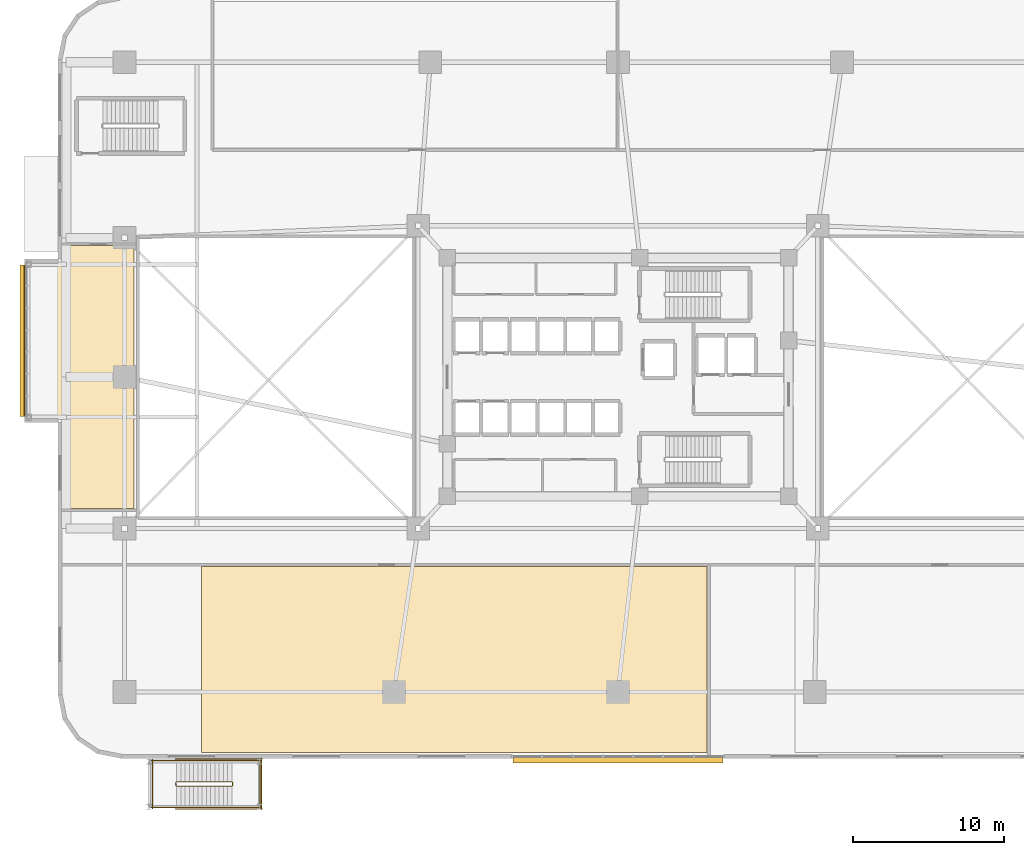
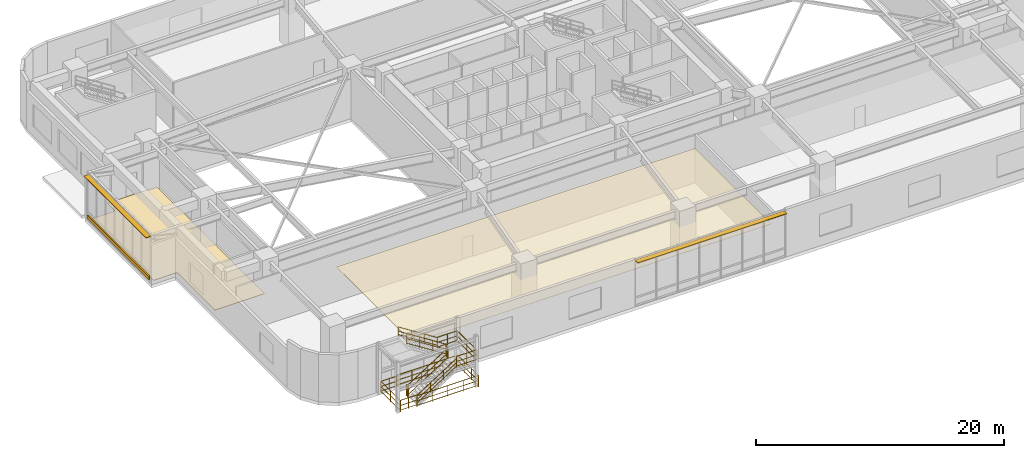
# One storey, part 23 of 26: 15 railings, 3 shading devices, 2 coverings.
"""IFC4 building model written with IfcOpenShell, lengths in metres."""

from ifc_helpers import new_model, si_unit, direction, frame, origin, origin_2d, place, context, subcontext, project, spatial, polyline, rectangle, outline, extrude, material, layer, layer_set, type_object, element, save


model = new_model("IFC4")

# Units and contexts
model_context = context("Model", 3, precision=1e-05, world=origin(), true_north=direction((0.0, 1.0)))
body_context = subcontext(model_context, "Body", "Model", "MODEL_VIEW")
ifc_project = project(units=[si_unit("LENGTHUNIT", "METRE"), si_unit("AREAUNIT", "SQUARE_METRE"), si_unit("VOLUMEUNIT", "CUBIC_METRE"), si_unit("PLANEANGLEUNIT", "RADIAN"), si_unit("MASSUNIT", "GRAM", prefix="KILO")], contexts=[model_context])

# Site, building, storey
site_placement = place(None, origin())
site = spatial("IfcSite", under=ifc_project, at=site_placement, CompositionType="ELEMENT")
building_placement = place(site_placement, origin())
building = spatial("IfcBuilding", under=site, at=building_placement, Name="Zulverin Broadcast Headquarters", CompositionType="ELEMENT")
storey_placement = place(building_placement, frame((0.0, 0.0, 15.0)))
storey = spatial("IfcBuildingStorey", under=building, at=storey_placement, Name="L03", CompositionType="ELEMENT", Elevation=15.0)

# Coverings
ifc_material_1 = material(Name="Perforated pale-metal acoustic baffle ceiling", Category="aluminium")
ifc_layer_1 = layer(ifc_material_1, 0.0400390625, Name="Perforated pale-metal acoustic baffle ceiling", Category="aluminium")
ifc_layer_set_1 = layer_set([ifc_layer_1], Name="Perforated pale-metal acoustic baffle ceiling")
covering_type_1 = type_object("IfcCoveringType", Name="COV-CEIL-ACOU", PredefinedType="CEILING", material=ifc_layer_set_1)
covering_1_placement = place(storey_placement, frame((0.0, 0.0, 3.389892578125)))
element("IfcCovering", 1, at=covering_1_placement, inside=storey, type_object=covering_type_1, Name="L03 Acoustic Baffle Ceiling 01", PredefinedType="CEILING", context=body_context, shape_type="SweptSolid", body=[
    extrude(outline(polyline([(42.8798828125, 0.39990234375), (42.8798828125, 12.679931640625), (9.5, 12.679931640625), (9.5, 0.39990234375), (42.8798828125, 0.39990234375)])), origin(), (0.0, 0.0, 1.0), 0.0400390625),
])
ifc_material_2 = material(Name="Anti-static broadcast raised access flooring", Category="stone")
ifc_layer_2 = layer(ifc_material_2, 0.050048828125, Name="Anti-static broadcast raised access flooring", Category="stone")
ifc_layer_set_2 = layer_set([ifc_layer_2], Name="Anti-static broadcast raised access flooring")
covering_type_2 = type_object("IfcCoveringType", Name="COV-FLR-RAISED", PredefinedType="FLOORING", material=ifc_layer_set_2)
covering_2_placement = place(storey_placement, origin())
element("IfcCovering", 2, at=covering_2_placement, inside=storey, type_object=covering_type_2, Name="L03 Broadcast Raised Access Flooring 02", PredefinedType="FLOORING", context=body_context, shape_type="SweptSolid", body=[
    extrude(outline(polyline([(0.2919921875, 32.60009765625), (0.280029296875, 32.60009765625), (-1.800048828125, 32.60009765625), (-1.800048828125, 22.60009765625), (0.280029296875, 22.60009765625), (0.2919921875, 22.60009765625), (0.303955078125, 22.595947265625), (0.31591796875, 22.595947265625), (0.323974609375, 22.592041015625), (0.3359375, 22.583984375), (0.347900390625, 22.580078125), (0.35595703125, 22.572021484375), (0.364013671875, 22.56396484375), (0.3720703125, 22.555908203125), (0.3798828125, 22.548095703125), (0.384033203125, 22.535888671875), (0.39208984375, 22.52392578125), (0.39599609375, 22.51611328125), (0.39599609375, 22.50390625), (0.39990234375, 22.491943359375), (0.39990234375, 22.47998046875), (0.39990234375, 16.52001953125), (5.031982421875, 16.52001953125), (5.031982421875, 33.8798828125), (0.39990234375, 33.8798828125), (0.39990234375, 32.719970703125), (0.39990234375, 32.7080078125), (0.39599609375, 32.696044921875), (0.39599609375, 32.68408203125), (0.39208984375, 32.676025390625), (0.384033203125, 32.6640625), (0.3798828125, 32.652099609375), (0.3720703125, 32.64404296875), (0.364013671875, 32.635986328125), (0.35595703125, 32.6279296875), (0.347900390625, 32.6201171875), (0.3359375, 32.615966796875), (0.323974609375, 32.60791015625), (0.31591796875, 32.60400390625), (0.303955078125, 32.60400390625), (0.2919921875, 32.60009765625)])), origin(), (0.0, 0.0, 1.0), 0.050048828125),
])

# Railings
ifc_material_3 = material(Name="Painted galvanized steel tubular guardrail S355JR", Category="steel")
railing_type_1 = type_object("IfcRailingType", Name="RL-ST-GUARD", PredefinedType="GUARDRAIL", material=ifc_material_3)
railing_1_placement = place(storey_placement, frame((7.85009765625, -1.830078125, 0.178466796875)))
element("IfcRailing", 3, at=railing_1_placement, inside=storey, type_object=railing_type_1, Name="L03 ST-5 stair guard 1", PredefinedType="GUARDRAIL", context=body_context, shape_type="SweptSolid", body=[
    extrude(rectangle(XDim=0.048095703125, YDim=0.048095703125, at=origin_2d()), frame((0.0, 0.0, 1.076171875), z_axis=(0.843111507901, 0.0, 0.53773877045), x_axis=(0.0, 1.0, 0.0)), (0.0, 0.0, 1.0), 4.317138671875),
    extrude(rectangle(XDim=0.0419921875, YDim=0.0419921875, at=origin_2d()), frame((0.0, 0.0, 0.572021484375), z_axis=(0.843111507901, 0.0, 0.53773877045), x_axis=(0.0, 1.0, 0.0)), (0.0, 0.0, 1.0), 4.317138671875),
    extrude(rectangle(XDim=0.0419921875, YDim=0.0419921875, at=origin_2d()), frame((0.0, 0.0, 0.1201171875), z_axis=(0.843111507901, 0.0, 0.53773877045), x_axis=(0.0, 1.0, 0.0)), (0.0, 0.0, 1.0), 4.317138671875),
    extrude(rectangle(XDim=0.0419921875, YDim=0.0419921875, at=origin_2d()), origin(), (0.0, 0.0, 1.0), 1.052001953125),
    extrude(rectangle(XDim=0.0419921875, YDim=0.0419921875, at=origin_2d()), frame((1.21337890625, 0.0, 0.77392578125)), (0.0, 0.0, 1.0), 1.052001953125),
    extrude(rectangle(XDim=0.0419921875, YDim=0.0419921875, at=origin_2d()), frame((2.426513671875, 0.0, 1.547607421875)), (0.0, 0.0, 1.0), 1.052001953125),
    extrude(rectangle(XDim=0.0419921875, YDim=0.0419921875, at=origin_2d()), frame((3.639892578125, 0.0, 2.321533203125)), (0.0, 0.0, 1.0), 1.052001953125),
])
railing_2_placement = place(storey_placement, frame((11.5400390625, -1.780029296875, 2.5)))
element("IfcRailing", 4, at=railing_2_placement, inside=storey, type_object=railing_type_1, Name="L03 ST-5 stair guard 2", PredefinedType="GUARDRAIL", context=body_context, shape_type="SweptSolid", body=[
    extrude(rectangle(XDim=0.048095703125, YDim=0.048095703125, at=origin_2d()), frame((0.0, 0.0, 1.076171875), z_axis=(0.0, 1.0, 0.0), x_axis=(-1.0, 0.0, 0.0)), (0.0, 0.0, 1.0), 0.199951171875),
    extrude(rectangle(XDim=0.0419921875, YDim=0.0419921875, at=origin_2d()), frame((0.0, 0.0, 0.572021484375), z_axis=(0.0, 1.0, 0.0), x_axis=(-1.0, 0.0, 0.0)), (0.0, 0.0, 1.0), 0.199951171875),
    extrude(rectangle(XDim=0.0419921875, YDim=0.0419921875, at=origin_2d()), frame((0.0, 0.0, 0.1201171875), z_axis=(0.0, 1.0, 0.0), x_axis=(-1.0, 0.0, 0.0)), (0.0, 0.0, 1.0), 0.199951171875),
    extrude(rectangle(XDim=0.0419921875, YDim=0.0419921875, at=origin_2d()), origin(), (0.0, 0.0, 1.0), 1.052001953125),
    extrude(rectangle(XDim=0.0419921875, YDim=0.0419921875, at=origin_2d()), frame((0.0, 0.199951171875, 0.0)), (0.0, 0.0, 1.0), 1.052001953125),
])
for number, where, name in (
    (5, (11.489990234375, -3.22998046875, 2.5), "L03 ST-5 stair guard 3"),
    (6, (11.489990234375, -0.1298828125, 2.5), "L03 ST-5 stair guard 4"),
):
    element("IfcRailing", number, at=place(storey_placement, frame(where)), inside=storey, type_object=railing_type_1, Name=name, PredefinedType="GUARDRAIL", context=body_context, shape_type="SweptSolid", body=[
        extrude(rectangle(XDim=0.048095703125, YDim=0.048095703125, at=origin_2d()), frame((0.0, 0.0, 1.076171875), z_axis=(1.0, 0.0, 0.0), x_axis=(0.0, 1.0, 0.0)), (0.0, 0.0, 1.0), 1.909912109375),
        extrude(rectangle(XDim=0.0419921875, YDim=0.0419921875, at=origin_2d()), frame((0.0, 0.0, 0.572021484375), z_axis=(1.0, 0.0, 0.0), x_axis=(0.0, 1.0, 0.0)), (0.0, 0.0, 1.0), 1.909912109375),
        extrude(rectangle(XDim=0.0419921875, YDim=0.0419921875, at=origin_2d()), frame((0.0, 0.0, 0.1201171875), z_axis=(1.0, 0.0, 0.0), x_axis=(0.0, 1.0, 0.0)), (0.0, 0.0, 1.0), 1.909912109375),
        extrude(rectangle(XDim=0.0419921875, YDim=0.0419921875, at=origin_2d()), origin(), (0.0, 0.0, 1.0), 1.052001953125),
        extrude(rectangle(XDim=0.0419921875, YDim=0.0419921875, at=origin_2d()), frame((0.955078125, 0.0, 0.0)), (0.0, 0.0, 1.0), 1.052001953125),
        extrude(rectangle(XDim=0.0419921875, YDim=0.0419921875, at=origin_2d()), frame((1.909912109375, 0.0, 0.0)), (0.0, 0.0, 1.0), 1.052001953125),
    ])
railing_3_placement = place(storey_placement, frame((13.35009765625, -3.280029296875, 2.5)))
element("IfcRailing", 7, at=railing_3_placement, inside=storey, type_object=railing_type_1, Name="L03 ST-5 stair guard 5", PredefinedType="GUARDRAIL", context=body_context, shape_type="SweptSolid", body=[
    extrude(rectangle(XDim=0.048095703125, YDim=0.048095703125, at=origin_2d()), frame((0.0, 0.0, 1.076171875), z_axis=(0.0, 1.0, 0.0), x_axis=(-1.0, 0.0, 0.0)), (0.0, 0.0, 1.0), 3.199951171875),
    extrude(rectangle(XDim=0.0419921875, YDim=0.0419921875, at=origin_2d()), frame((0.0, 0.0, 0.572021484375), z_axis=(0.0, 1.0, 0.0), x_axis=(-1.0, 0.0, 0.0)), (0.0, 0.0, 1.0), 3.199951171875),
    extrude(rectangle(XDim=0.0419921875, YDim=0.0419921875, at=origin_2d()), frame((0.0, 0.0, 0.1201171875), z_axis=(0.0, 1.0, 0.0), x_axis=(-1.0, 0.0, 0.0)), (0.0, 0.0, 1.0), 3.199951171875),
    extrude(rectangle(XDim=0.0419921875, YDim=0.0419921875, at=origin_2d()), origin(), (0.0, 0.0, 1.0), 1.052001953125),
    extrude(rectangle(XDim=0.0419921875, YDim=0.0419921875, at=origin_2d()), frame((0.0, 1.60009765625, 0.0)), (0.0, 0.0, 1.0), 1.052001953125),
    extrude(rectangle(XDim=0.0419921875, YDim=0.0419921875, at=origin_2d()), frame((0.0, 3.199951171875, 0.0)), (0.0, 0.0, 1.0), 1.052001953125),
])
railing_4_placement = place(storey_placement, frame((11.489990234375, -1.530029296875, 2.678466796875)))
element("IfcRailing", 8, at=railing_4_placement, inside=storey, type_object=railing_type_1, Name="L03 ST-5 stair guard 6", PredefinedType="GUARDRAIL", context=body_context, shape_type="SweptSolid", body=[
    extrude(rectangle(XDim=0.048095703125, YDim=0.048095703125, at=origin_2d()), frame((0.0, 0.0, 1.076171875), z_axis=(-0.843111507901, 0.0, 0.53773877045), x_axis=(0.0, -1.0, 0.0)), (0.0, 0.0, 1.0), 4.317138671875),
    extrude(rectangle(XDim=0.0419921875, YDim=0.0419921875, at=origin_2d()), frame((0.0, 0.0, 0.572021484375), z_axis=(-0.843111507901, 0.0, 0.53773877045), x_axis=(0.0, -1.0, 0.0)), (0.0, 0.0, 1.0), 4.317138671875),
    extrude(rectangle(XDim=0.0419921875, YDim=0.0419921875, at=origin_2d()), frame((0.0, 0.0, 0.1201171875), z_axis=(-0.843111507901, 0.0, 0.53773877045), x_axis=(0.0, -1.0, 0.0)), (0.0, 0.0, 1.0), 4.317138671875),
    extrude(rectangle(XDim=0.0419921875, YDim=0.0419921875, at=origin_2d()), origin(), (0.0, 0.0, 1.0), 1.052001953125),
    extrude(rectangle(XDim=0.0419921875, YDim=0.0419921875, at=origin_2d()), frame((-1.21337890625, 0.0, 0.77392578125)), (0.0, 0.0, 1.0), 1.052001953125),
    extrude(rectangle(XDim=0.0419921875, YDim=0.0419921875, at=origin_2d()), frame((-2.426513671875, 0.0, 1.547607421875)), (0.0, 0.0, 1.0), 1.052001953125),
    extrude(rectangle(XDim=0.0419921875, YDim=0.0419921875, at=origin_2d()), frame((-3.639892578125, 0.0, 2.321533203125)), (0.0, 0.0, 1.0), 1.052001953125),
])
railing_5_placement = place(storey_placement, frame((7.800048828125, -1.780029296875, 0.0)))
element("IfcRailing", 9, at=railing_5_placement, inside=storey, type_object=railing_type_1, Name="L03 ST-5 stair guard 7", PredefinedType="GUARDRAIL", context=body_context, shape_type="SweptSolid", body=[
    extrude(rectangle(XDim=0.048095703125, YDim=0.048095703125, at=origin_2d()), frame((0.0, 0.0, 1.076171875), z_axis=(0.0, 1.0, 0.0), x_axis=(-1.0, 0.0, 0.0)), (0.0, 0.0, 1.0), 0.199951171875),
    extrude(rectangle(XDim=0.0419921875, YDim=0.0419921875, at=origin_2d()), frame((0.0, 0.0, 0.572021484375), z_axis=(0.0, 1.0, 0.0), x_axis=(-1.0, 0.0, 0.0)), (0.0, 0.0, 1.0), 0.199951171875),
    extrude(rectangle(XDim=0.0419921875, YDim=0.0419921875, at=origin_2d()), frame((0.0, 0.0, 0.1201171875), z_axis=(0.0, 1.0, 0.0), x_axis=(-1.0, 0.0, 0.0)), (0.0, 0.0, 1.0), 0.199951171875),
    extrude(rectangle(XDim=0.0419921875, YDim=0.0419921875, at=origin_2d()), origin(), (0.0, 0.0, 1.0), 1.052001953125),
    extrude(rectangle(XDim=0.0419921875, YDim=0.0419921875, at=origin_2d()), frame((0.0, 0.199951171875, 0.0)), (0.0, 0.0, 1.0), 1.052001953125),
])
for number, where, name in (
    (10, (6.199951171875, -3.22998046875, 0.0), "L03 ST-5 stair guard 8"),
    (11, (6.199951171875, -0.1298828125, 0.0), "L03 ST-5 stair guard 9"),
):
    element("IfcRailing", number, at=place(storey_placement, frame(where)), inside=storey, type_object=railing_type_1, Name=name, PredefinedType="GUARDRAIL", context=body_context, shape_type="SweptSolid", body=[
        extrude(rectangle(XDim=0.048095703125, YDim=0.048095703125, at=origin_2d()), frame((0.0, 0.0, 1.076171875), z_axis=(1.0, 0.0, 0.0), x_axis=(0.0, 1.0, 0.0)), (0.0, 0.0, 1.0), 1.650146484375),
        extrude(rectangle(XDim=0.0419921875, YDim=0.0419921875, at=origin_2d()), frame((0.0, 0.0, 0.572021484375), z_axis=(1.0, 0.0, 0.0), x_axis=(0.0, 1.0, 0.0)), (0.0, 0.0, 1.0), 1.650146484375),
        extrude(rectangle(XDim=0.0419921875, YDim=0.0419921875, at=origin_2d()), frame((0.0, 0.0, 0.1201171875), z_axis=(1.0, 0.0, 0.0), x_axis=(0.0, 1.0, 0.0)), (0.0, 0.0, 1.0), 1.650146484375),
        extrude(rectangle(XDim=0.0419921875, YDim=0.0419921875, at=origin_2d()), origin(), (0.0, 0.0, 1.0), 1.052001953125),
        extrude(rectangle(XDim=0.0419921875, YDim=0.0419921875, at=origin_2d()), frame((0.8251953125, 0.0, 0.0)), (0.0, 0.0, 1.0), 1.052001953125),
        extrude(rectangle(XDim=0.0419921875, YDim=0.0419921875, at=origin_2d()), frame((1.650146484375, 0.0, 0.0)), (0.0, 0.0, 1.0), 1.052001953125),
    ])
railing_6_placement = place(storey_placement, frame((6.25, -3.280029296875, 0.0)))
element("IfcRailing", 12, at=railing_6_placement, inside=storey, type_object=railing_type_1, Name="L03 ST-5 stair guard 10", PredefinedType="GUARDRAIL", context=body_context, shape_type="SweptSolid", body=[
    extrude(rectangle(XDim=0.048095703125, YDim=0.048095703125, at=origin_2d()), frame((0.0, 0.0, 1.076171875), z_axis=(0.0, 1.0, 0.0), x_axis=(-1.0, 0.0, 0.0)), (0.0, 0.0, 1.0), 3.199951171875),
    extrude(rectangle(XDim=0.0419921875, YDim=0.0419921875, at=origin_2d()), frame((0.0, 0.0, 0.572021484375), z_axis=(0.0, 1.0, 0.0), x_axis=(-1.0, 0.0, 0.0)), (0.0, 0.0, 1.0), 3.199951171875),
    extrude(rectangle(XDim=0.0419921875, YDim=0.0419921875, at=origin_2d()), frame((0.0, 0.0, 0.1201171875), z_axis=(0.0, 1.0, 0.0), x_axis=(-1.0, 0.0, 0.0)), (0.0, 0.0, 1.0), 3.199951171875),
    extrude(rectangle(XDim=0.0419921875, YDim=0.0419921875, at=origin_2d()), origin(), (0.0, 0.0, 1.0), 1.052001953125),
    extrude(rectangle(XDim=0.0419921875, YDim=0.0419921875, at=origin_2d()), frame((0.0, 1.60009765625, 0.0)), (0.0, 0.0, 1.0), 1.052001953125),
    extrude(rectangle(XDim=0.0419921875, YDim=0.0419921875, at=origin_2d()), frame((0.0, 3.199951171875, 0.0)), (0.0, 0.0, 1.0), 1.052001953125),
])
for number, where, name in (
    (13, (7.75, -3.330078125, 0.0), "L03 ST-5 stair guard 11"),
    (14, (7.75, -0.030029296875, 0.0), "L03 ST-5 stair guard 12"),
):
    element("IfcRailing", number, at=place(storey_placement, frame(where)), inside=storey, type_object=railing_type_1, Name=name, PredefinedType="GUARDRAIL", context=body_context, shape_type="SweptSolid", body=[
        extrude(rectangle(XDim=0.048095703125, YDim=0.048095703125, at=origin_2d()), frame((0.0, 0.0, 1.076171875), z_axis=(1.0, 0.0, 0.0), x_axis=(0.0, 1.0, 0.0)), (0.0, 0.0, 1.0), 5.75),
        extrude(rectangle(XDim=0.0419921875, YDim=0.0419921875, at=origin_2d()), frame((0.0, 0.0, 0.572021484375), z_axis=(1.0, 0.0, 0.0), x_axis=(0.0, 1.0, 0.0)), (0.0, 0.0, 1.0), 5.75),
        extrude(rectangle(XDim=0.0419921875, YDim=0.0419921875, at=origin_2d()), frame((0.0, 0.0, 0.1201171875), z_axis=(1.0, 0.0, 0.0), x_axis=(0.0, 1.0, 0.0)), (0.0, 0.0, 1.0), 5.75),
        extrude(rectangle(XDim=0.0419921875, YDim=0.0419921875, at=origin_2d()), origin(), (0.0, 0.0, 1.0), 1.052001953125),
        extrude(rectangle(XDim=0.0419921875, YDim=0.0419921875, at=origin_2d()), frame((1.4375, 0.0, 0.0)), (0.0, 0.0, 1.0), 1.052001953125),
        extrude(rectangle(XDim=0.0419921875, YDim=0.0419921875, at=origin_2d()), frame((2.875, 0.0, 0.0)), (0.0, 0.0, 1.0), 1.052001953125),
        extrude(rectangle(XDim=0.0419921875, YDim=0.0419921875, at=origin_2d()), frame((4.3125, 0.0, 0.0)), (0.0, 0.0, 1.0), 1.052001953125),
        extrude(rectangle(XDim=0.0419921875, YDim=0.0419921875, at=origin_2d()), frame((5.75, 0.0, 0.0)), (0.0, 0.0, 1.0), 1.052001953125),
    ])
railing_7_placement = place(storey_placement, frame((13.449951171875, -3.3798828125, 0.0)))
element("IfcRailing", 15, at=railing_7_placement, inside=storey, type_object=railing_type_1, Name="L03 ST-5 stair guard 13", PredefinedType="GUARDRAIL", context=body_context, shape_type="SweptSolid", body=[
    extrude(rectangle(XDim=0.048095703125, YDim=0.048095703125, at=origin_2d()), frame((0.0, 0.0, 1.076171875), z_axis=(0.0, 1.0, 0.0), x_axis=(-1.0, 0.0, 0.0)), (0.0, 0.0, 1.0), 3.39990234375),
    extrude(rectangle(XDim=0.0419921875, YDim=0.0419921875, at=origin_2d()), frame((0.0, 0.0, 0.572021484375), z_axis=(0.0, 1.0, 0.0), x_axis=(-1.0, 0.0, 0.0)), (0.0, 0.0, 1.0), 3.39990234375),
    extrude(rectangle(XDim=0.0419921875, YDim=0.0419921875, at=origin_2d()), frame((0.0, 0.0, 0.1201171875), z_axis=(0.0, 1.0, 0.0), x_axis=(-1.0, 0.0, 0.0)), (0.0, 0.0, 1.0), 3.39990234375),
    extrude(rectangle(XDim=0.0419921875, YDim=0.0419921875, at=origin_2d()), origin(), (0.0, 0.0, 1.0), 1.052001953125),
    extrude(rectangle(XDim=0.0419921875, YDim=0.0419921875, at=origin_2d()), frame((0.0, 1.13330078125, 0.0)), (0.0, 0.0, 1.0), 1.052001953125),
    extrude(rectangle(XDim=0.0419921875, YDim=0.0419921875, at=origin_2d()), frame((0.0, 2.2666015625, 0.0)), (0.0, 0.0, 1.0), 1.052001953125),
    extrude(rectangle(XDim=0.0419921875, YDim=0.0419921875, at=origin_2d()), frame((0.0, 3.39990234375, 0.0)), (0.0, 0.0, 1.0), 1.052001953125),
])
ifc_material_4 = material(Name="Brushed stainless steel 48 mm handrail", Category="steel")
railing_type_2 = type_object("IfcRailingType", Name="RL-ST-HAND", PredefinedType="HANDRAIL", material=ifc_material_4)
railing_8_placement = place(storey_placement, frame((7.85009765625, -3.22998046875, 0.178466796875)))
element("IfcRailing", 16, at=railing_8_placement, inside=storey, type_object=railing_type_2, Name="L03 ST-5 stair handrail 1", PredefinedType="HANDRAIL", context=body_context, shape_type="SweptSolid", body=[
    extrude(rectangle(XDim=0.048095703125, YDim=0.048095703125, at=origin_2d()), frame((0.0, 0.0, 0.8759765625), z_axis=(0.843111507901, 0.0, 0.53773877045), x_axis=(0.0, 1.0, 0.0)), (0.0, 0.0, 1.0), 4.317138671875),
    extrude(rectangle(XDim=0.0419921875, YDim=0.0419921875, at=origin_2d()), frame((0.0, 0.0, 0.468017578125), z_axis=(0.843111507901, 0.0, 0.53773877045), x_axis=(0.0, 1.0, 0.0)), (0.0, 0.0, 1.0), 4.317138671875),
    extrude(rectangle(XDim=0.0419921875, YDim=0.0419921875, at=origin_2d()), frame((0.0, 0.0, 0.1201171875), z_axis=(0.843111507901, 0.0, 0.53773877045), x_axis=(0.0, 1.0, 0.0)), (0.0, 0.0, 1.0), 4.317138671875),
    extrude(rectangle(XDim=0.0419921875, YDim=0.0419921875, at=origin_2d()), origin(), (0.0, 0.0, 1.0), 0.851806640625),
    extrude(rectangle(XDim=0.0419921875, YDim=0.0419921875, at=origin_2d()), frame((1.21337890625, 0.0, 0.77392578125)), (0.0, 0.0, 1.0), 0.851806640625),
    extrude(rectangle(XDim=0.0419921875, YDim=0.0419921875, at=origin_2d()), frame((2.426513671875, 0.0, 1.547607421875)), (0.0, 0.0, 1.0), 0.851806640625),
    extrude(rectangle(XDim=0.0419921875, YDim=0.0419921875, at=origin_2d()), frame((3.639892578125, 0.0, 2.321533203125)), (0.0, 0.0, 1.0), 0.851806640625),
])
railing_9_placement = place(storey_placement, frame((11.489990234375, -0.1298828125, 2.678466796875)))
element("IfcRailing", 17, at=railing_9_placement, inside=storey, type_object=railing_type_2, Name="L03 ST-5 stair handrail 2", PredefinedType="HANDRAIL", context=body_context, shape_type="SweptSolid", body=[
    extrude(rectangle(XDim=0.048095703125, YDim=0.048095703125, at=origin_2d()), frame((0.0, 0.0, 0.8759765625), z_axis=(-0.843111507901, 0.0, 0.53773877045), x_axis=(0.0, -1.0, 0.0)), (0.0, 0.0, 1.0), 4.317138671875),
    extrude(rectangle(XDim=0.0419921875, YDim=0.0419921875, at=origin_2d()), frame((0.0, 0.0, 0.468017578125), z_axis=(-0.843111507901, 0.0, 0.53773877045), x_axis=(0.0, -1.0, 0.0)), (0.0, 0.0, 1.0), 4.317138671875),
    extrude(rectangle(XDim=0.0419921875, YDim=0.0419921875, at=origin_2d()), frame((0.0, 0.0, 0.1201171875), z_axis=(-0.843111507901, 0.0, 0.53773877045), x_axis=(0.0, -1.0, 0.0)), (0.0, 0.0, 1.0), 4.317138671875),
    extrude(rectangle(XDim=0.0419921875, YDim=0.0419921875, at=origin_2d()), origin(), (0.0, 0.0, 1.0), 0.851806640625),
    extrude(rectangle(XDim=0.0419921875, YDim=0.0419921875, at=origin_2d()), frame((-1.21337890625, 0.0, 0.77392578125)), (0.0, 0.0, 1.0), 0.851806640625),
    extrude(rectangle(XDim=0.0419921875, YDim=0.0419921875, at=origin_2d()), frame((-2.426513671875, 0.0, 1.547607421875)), (0.0, 0.0, 1.0), 0.851806640625),
    extrude(rectangle(XDim=0.0419921875, YDim=0.0419921875, at=origin_2d()), frame((-3.639892578125, 0.0, 2.321533203125)), (0.0, 0.0, 1.0), 0.851806640625),
])

# Shading devices
ifc_material_5 = material(Name="Anodized pale-metal aluminium acoustic louvre", Category="aluminium")
shading_device_type_1 = type_object("IfcShadingDeviceType", Name="SHD-LOUVRE-350", PredefinedType="USERDEFINED", material=ifc_material_5)
shading_device_1_placement = place(storey_placement, frame((-2.159912109375, 27.60009765625, 0.224853515625), z_axis=(0.0, 0.0, 1.0), x_axis=(0.0, -1.0, 0.0)))
element("IfcShadingDevice", 18, at=shading_device_1_placement, inside=storey, type_object=shading_device_type_1, Name="L03 Pale-Metal Acoustic Louvre Screen CW-L03-SBOX_POD_UPPER_W1-F", ObjectType="LOUVRE", PredefinedType="USERDEFINED", context=body_context, shape_type="SweptSolid", body=[
    extrude(rectangle(XDim=9.93994140625, YDim=0.1201171875, at=origin_2d()), origin(), (0.0, 0.0, 1.0), 0.35009765625),
])
ifc_material_6 = material(Name="Anodized pale-metal aluminium sunshade", Category="aluminium")
ifc_layer_3 = layer(ifc_material_6, 0.06005859375, Name="Anodized pale-metal aluminium sunshade", Category="aluminium")
ifc_layer_set_3 = layer_set([ifc_layer_3], Name="Anodized pale-metal aluminium sunshade")
shading_device_type_2 = type_object("IfcShadingDeviceType", Name="SS-01_PALE_METAL_ALUMINIUM_SUNSHADE", PredefinedType="USERDEFINED", material=ifc_layer_set_3)
shading_device_2_placement = place(storey_placement, frame((37.0, -0.080078125, 4.449951171875), z_axis=(0.0, 0.0, 1.0), x_axis=(1.0, 0.0, 0.0)))
element("IfcShadingDevice", 19, at=shading_device_2_placement, inside=storey, type_object=shading_device_type_2, Name="L03 Pale-Metal Horizontal Sunshade Band CW-L03-S4", ObjectType="SUNSHADE", PredefinedType="USERDEFINED", context=body_context, shape_type="SweptSolid", body=[
    extrude(rectangle(XDim=13.860107421875, YDim=0.449951171875, at=origin_2d()), origin(), (0.0, 0.0, 1.0), 0.06005859375),
])
shading_device_3_placement = place(storey_placement, frame((-2.280029296875, 27.60009765625, 4.449951171875), z_axis=(0.0, 0.0, 1.0), x_axis=(0.0, -1.0, 0.0)))
element("IfcShadingDevice", 20, at=shading_device_3_placement, inside=storey, type_object=shading_device_type_2, Name="L03 Pale-Metal Horizontal Sunshade Band CW-L03-SBOX_POD_UPPER_W1-F", ObjectType="SUNSHADE", PredefinedType="USERDEFINED", context=body_context, shape_type="SweptSolid", body=[
    extrude(rectangle(XDim=10.02001953125, YDim=0.449951171875, at=origin_2d()), origin(), (0.0, 0.0, 1.0), 0.06005859375),
])

save(model, "model.ifc")
